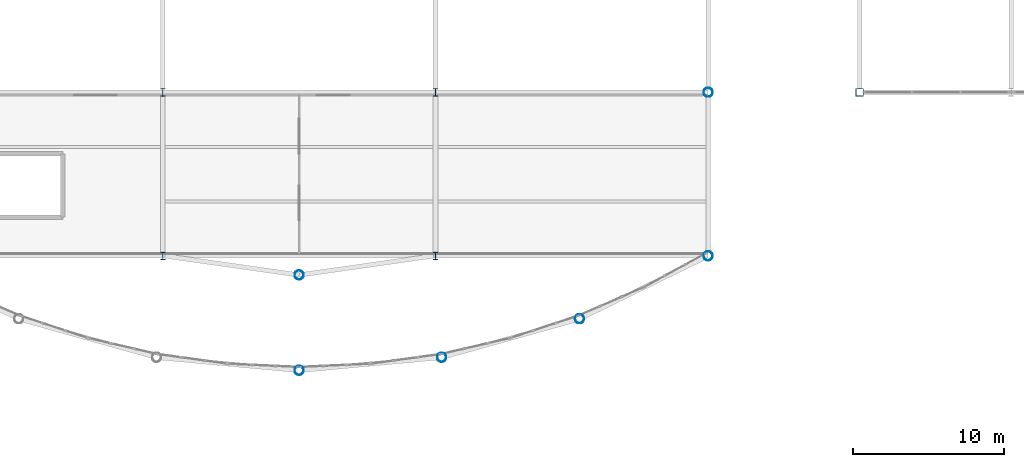
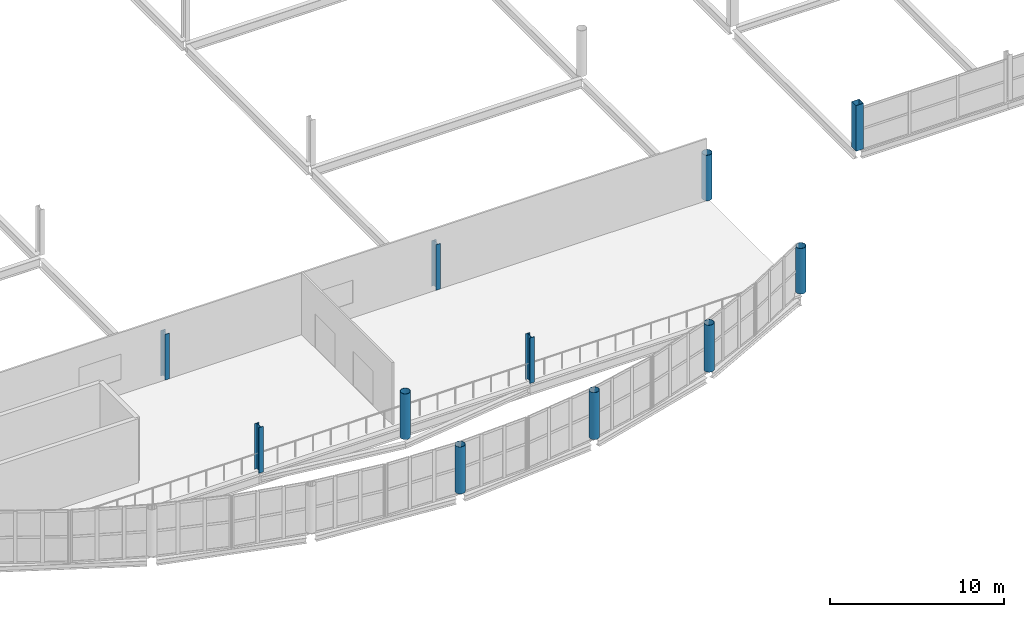
# One storey, part 5 of 134: 11 columns.
"""IFC4 building model written with IfcOpenShell, lengths in metres."""

from ifc_helpers import new_model, si_unit, direction, frame, origin, origin_2d, place, context, subcontext, project, spatial, hollow_rectangle, hollow_circle, i_section, extrude, material, material_profile, profile_set, type_object, element, save


model = new_model("IFC4")

# Units and contexts
model_context = context("Model", 3, precision=1e-05, world=origin(), true_north=direction((0.0, 1.0)))
body_context = subcontext(model_context, "Body", "Model", "MODEL_VIEW")
ifc_project = project(units=[si_unit("LENGTHUNIT", "METRE"), si_unit("AREAUNIT", "SQUARE_METRE"), si_unit("VOLUMEUNIT", "CUBIC_METRE"), si_unit("PLANEANGLEUNIT", "RADIAN"), si_unit("MASSUNIT", "GRAM", prefix="KILO")], contexts=[model_context])

# Site, building, storey
site_placement = place(None, origin())
site = spatial("IfcSite", under=ifc_project, at=site_placement, CompositionType="ELEMENT")
building_placement = place(site_placement, origin())
building = spatial("IfcBuilding", under=site, at=building_placement, Name="Tamarisk Ironworks Central Station", CompositionType="ELEMENT")
storey_placement = place(building_placement, frame((0.0, 0.0, 12.60009765625)))
storey = spatial("IfcBuildingStorey", under=building, at=storey_placement, Name="L02", CompositionType="ELEMENT", Elevation=12.60009765625)

# Columns
ifc_material_1 = material(Name="Structural steel S355J2", Category="steel")
ifc_material_profile_1 = material_profile(ifc_material_1, i_section(OverallWidth=0.300048828125, OverallDepth=0.5, WebThickness=0.014404296875, FlangeThickness=0.028076171875, at=origin_2d()), Name="HEB 500")
ifc_profile_set_1 = profile_set([ifc_material_profile_1], Name="Structural steel S355J2")
column_type_1 = type_object("IfcColumnType", Name="COL-S07", PredefinedType="COLUMN", material=ifc_profile_set_1)
for number, where, z_axis, x_axis, name in (
    (1, (72.0, 10.800048828125, 0.0), (0.0, 0.0, 1.0), (1.0, 0.0, 0.0), "L02 column V2-09B"),
    (2, (72.0, 21.60009765625, 0.0), (0.0, 0.0, 1.0), (1.0, 0.0, 0.0), "L02 column V2-09C"),
    (3, (90.0, 10.800048828125, 0.0), (0.0, 0.0, 1.0), (1.0, 0.0, 0.0), "L02 column V2-12B"),
    (4, (90.0, 21.60009765625, 0.0), (0.0, 0.0, 1.0), (1.0, 0.0, 0.0), "L02 column V2-12C"),
):
    element("IfcColumn", number, at=place(storey_placement, frame(where, z_axis=z_axis, x_axis=x_axis)), inside=storey, type_object=column_type_1, Name=name, PredefinedType="COLUMN", context=body_context, shape_type="SweptSolid", body=[
        extrude(i_section(OverallWidth=0.300048828125, OverallDepth=0.5, WebThickness=0.014404296875, FlangeThickness=0.028076171875, at=origin_2d()), origin(), (0.0, 0.0, 1.0), 3.199951171875),
    ])
ifc_material_2 = material(Name="Structural steel S355J2H", Category="steel")
ifc_material_profile_2 = material_profile(ifc_material_2, hollow_rectangle(XDim=0.5, YDim=0.5, WallThickness=0.02001953125, at=origin_2d()), Name="SHS 500x500x20")
ifc_profile_set_2 = profile_set([ifc_material_profile_2], Name="Structural steel S355J2H")
column_type_2 = type_object("IfcColumnType", Name="COL-S13", PredefinedType="COLUMN", material=ifc_profile_set_2)
column_placement = place(storey_placement, frame((118.0, 21.60009765625, 0.0), z_axis=(0.0, 0.0, 1.0), x_axis=(1.0, 0.0, 0.0)))
element("IfcColumn", 5, at=column_placement, inside=storey, type_object=column_type_2, Name="L02 column V1-15C", PredefinedType="COLUMN", context=body_context, shape_type="SweptSolid", body=[
    extrude(hollow_rectangle(XDim=0.5, YDim=0.5, WallThickness=0.02001953125, at=origin_2d()), origin(), (0.0, 0.0, 1.0), 3.199951171875),
])
ifc_material_3 = material(Name="Painted structural steel S355J2", Category="steel")
ifc_material_profile_3 = material_profile(ifc_material_3, hollow_circle(Radius=0.304931640625, WallThickness=0.02001953125, at=origin_2d()), Name="CHS 610x20")
ifc_profile_set_3 = profile_set([ifc_material_profile_3], Name="Painted structural steel S355J2")
column_type_3 = type_object("IfcColumnType", Name="COL-S15", PredefinedType="COLUMN", material=ifc_profile_set_3)
for number, where, z_axis, x_axis, name in (
    (6, (108.0, 10.800048828125, 0.0), (0.0, 0.0, 1.0), (1.0, 0.0, 0.0), "L02 column V2-14B"),
    (7, (108.0, 21.60009765625, 0.0), (0.0, 0.0, 1.0), (1.0, 0.0, 0.0), "L02 column V2-14C"),
    (8, (81.0, 9.5400390625, 0.0), (0.0, 0.0, 1.0), (1.0, 0.0, 0.0), "L02 column V2-SAC"),
):
    element("IfcColumn", number, at=place(storey_placement, frame(where, z_axis=z_axis, x_axis=x_axis)), inside=storey, type_object=column_type_3, Name=name, PredefinedType="COLUMN", context=body_context, shape_type="SweptSolid", body=[
        extrude(hollow_circle(Radius=0.304931640625, WallThickness=0.02001953125, at=origin_2d()), origin(), (0.0, 0.0, 1.0), 3.199951171875),
    ])
for number, where, z_axis, x_axis, name in (
    (9, (81.0, 3.240966796875, 0.0), (0.0, 0.0, 1.0), (1.0, 0.0, 0.0), "L02 column V2-SN06"),
    (10, (90.410888671875, 4.099609375, 0.0), (0.0, 0.0, 1.0), (1.0, 0.0, 0.0), "L02 column V2-SN08"),
    (11, (99.51123046875, 6.6474609375, 0.0), (0.0, 0.0, 1.0), (1.0, 0.0, 0.0), "L02 column V2-SN10"),
):
    element("IfcColumn", number, at=place(storey_placement, frame(where, z_axis=z_axis, x_axis=x_axis)), inside=storey, type_object=column_type_3, Name=name, PredefinedType="COLUMN", context=body_context, shape_type="SweptSolid", body=[
        extrude(hollow_circle(Radius=0.304931640625, WallThickness=0.02001953125, at=origin_2d()), origin(), (0.0, 0.0, 1.0), 3.2998046875),
    ])

save(model, "model.ifc")
